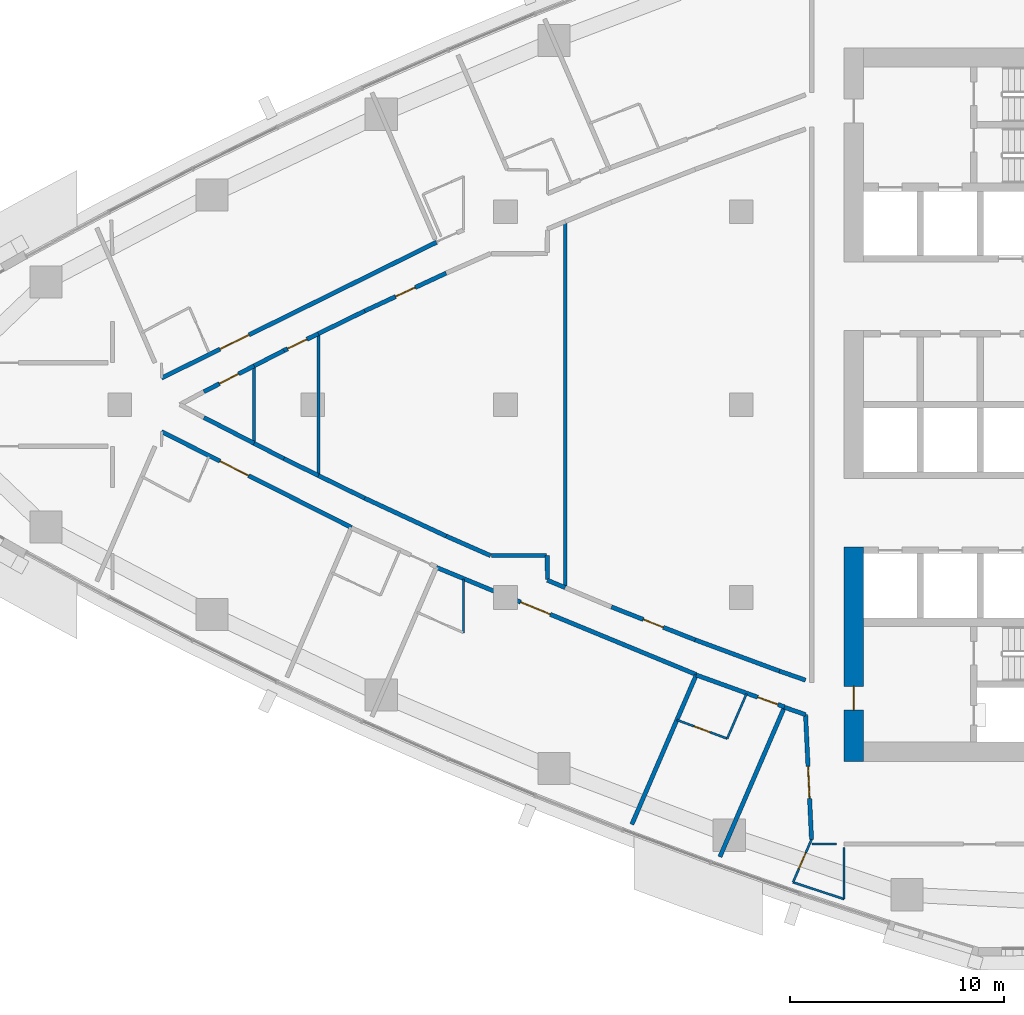
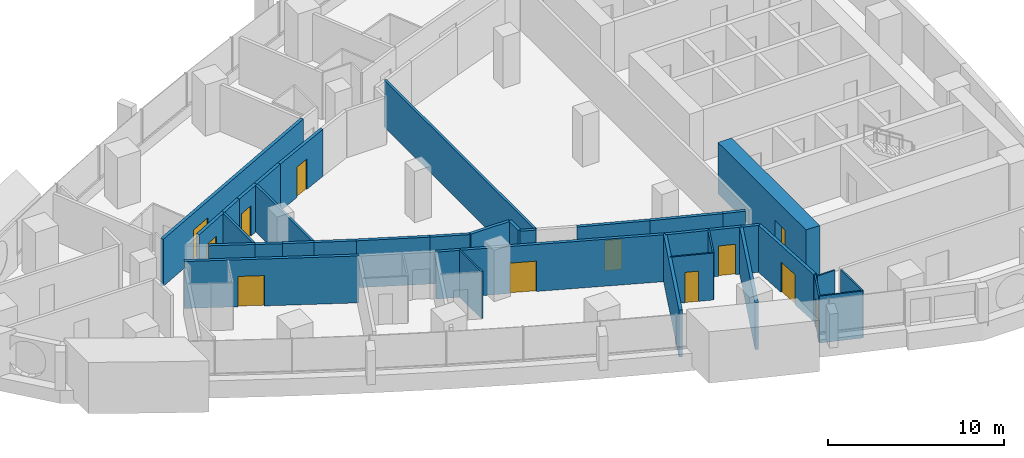
# One storey, part 9 of 17: 36 walls, 12 doors, 12 openings.
"""IFC4 building model written with IfcOpenShell, lengths in metres."""

from ifc_helpers import new_model, si_unit, direction, frame, frame_2d, origin, place, context, subcontext, project, spatial, rectangle, extrude, material, layer, layer_set, type_object, element, fill, save


model = new_model("IFC4")

# Units and contexts
model_context = context("Model", 3, precision=1e-05, world=origin(), true_north=direction((0.0, 1.0)))
body_context = subcontext(model_context, "Body", "Model", "MODEL_VIEW")
ifc_project = project(units=[si_unit("LENGTHUNIT", "METRE"), si_unit("AREAUNIT", "SQUARE_METRE"), si_unit("VOLUMEUNIT", "CUBIC_METRE"), si_unit("PLANEANGLEUNIT", "RADIAN"), si_unit("MASSUNIT", "GRAM", prefix="KILO")], contexts=[model_context])

# Site, building, storey
site_placement = place(None, origin())
site = spatial("IfcSite", under=ifc_project, at=site_placement, CompositionType="ELEMENT")
building_placement = place(site_placement, origin())
building = spatial("IfcBuilding", under=site, at=building_placement, Name="Ostrand Prow Hotel Tower", CompositionType="ELEMENT")
storey_placement = place(building_placement, frame((0.0, 0.0, 130.199951171875)))
storey = spatial("IfcBuildingStorey", under=building, at=storey_placement, Name="L31", CompositionType="ELEMENT", Elevation=130.199951171875)

# Wall, opening, door
ifc_material_1 = material(Name="Concrete C70/85", Category="concrete")
ifc_layer_1 = layer(ifc_material_1, 0.89990234375)
ifc_layer_set_1 = layer_set([ifc_layer_1], Name="Concrete C70/85")
wall_type_1 = type_object("IfcWallType", Name="Core wall 900 C70/85", PredefinedType="SHEAR", material=ifc_layer_set_1)
wall_1_placement = place(storey_placement, frame((50.25, -16.64990234375, 0.0), z_axis=(0.0, 0.0, 1.0), x_axis=(0.0, 1.0, 0.0)))
wall_1 = element("IfcWall", 1, at=wall_1_placement, inside=storey, type_object=wall_type_1, Name="Core wall CW-W-S", PredefinedType="SHEAR", context=body_context, shape_type="SweptSolid", body=[
    extrude(rectangle(XDim=10.0, YDim=0.89990234375, at=frame_2d((5.0, 0.0))), origin(), (0.0, 0.0, 1.0), 3.550048828125),
])
opening_1_placement = place(wall_1_placement, frame((2.39990234375, 0.0, 0.0)))
opening_1 = element("IfcOpeningElement", 2, at=opening_1_placement, cuts=wall_1, Name="Opening FD1", PredefinedType="OPENING", context=body_context, shape_type="SweptSolid", body=[
    extrude(rectangle(XDim=1.10009765625, YDim=2.10009765625, at=frame_2d((0.550048828125, 1.050048828125))), frame((0.0, 0.4599609375, 0.0), z_axis=(0.0, -1.0, 0.0), x_axis=(1.0, 0.0, 0.0)), (0.0, 0.0, 1.0), 0.919921875),
])
ifc_material_2 = material(Name="Steel fire door", Category="steel")
door_type_1 = type_object("IfcDoorType", Name="Fire door 1100 EI120", OperationType="SINGLE_SWING_RIGHT", PredefinedType="DOOR", material=ifc_material_2)
door_1_placement = place(opening_1_placement, origin())
door_1 = element("IfcDoor", 3, at=door_1_placement, inside=storey, type_object=door_type_1, Name="FIRE DOOR", OperationType="SINGLE_SWING_RIGHT", OverallHeight=2.10009765625, OverallWidth=1.10009765625, PredefinedType="DOOR", context=body_context, shape_type="SweptSolid", body=[
    extrude(rectangle(XDim=1.10009765625, YDim=2.10009765625, at=frame_2d((0.550048828125, 1.050048828125))), frame((0.0, 0.02490234375, 0.0), z_axis=(0.0, -1.0, 0.0), x_axis=(1.0, 0.0, 0.0)), (0.0, 0.0, 1.0), 0.050048828125),
])
fill(opening_1, door_1)

# Wall
ifc_material_3 = material(Name="Plasterboard partition")
ifc_layer_2 = layer(ifc_material_3, 0.10009765625)
ifc_layer_set_2 = layer_set([ifc_layer_2], Name="Plasterboard partition")
wall_type_2 = type_object("IfcWallType", Name="Partition 100 bathroom wall", PredefinedType="PARTITIONING", material=ifc_layer_set_2)
wall_2_placement = place(storey_placement, frame((45.246826171875, -13.48974609375, 0.0), z_axis=(0.0, 0.0, 1.0), x_axis=(-0.395960119478, -0.918267708124, 0.0)))
element("IfcWall", 4, at=wall_2_placement, inside=storey, type_object=wall_type_2, Name="BATHROOM WALL", PredefinedType="PARTITIONING", context=body_context, shape_type="SweptSolid", body=[
    extrude(rectangle(XDim=2.280029296875, YDim=0.10009765625, at=frame_2d((1.14013671875, 0.0))), origin(), (0.0, 0.0, 1.0), 3.25),
])

# Wall, opening, door
wall_3_placement = place(storey_placement, frame((44.34375, -15.58349609375, 0.0), z_axis=(0.0, 0.0, 1.0), x_axis=(-0.937752290113, 0.347304826323, 0.0)))
wall_3 = element("IfcWall", 5, at=wall_3_placement, inside=storey, type_object=wall_type_2, Name="BATHROOM WALL", PredefinedType="PARTITIONING", context=body_context, shape_type="SweptSolid", body=[
    extrude(rectangle(XDim=2.503173828125, YDim=0.10009765625, at=frame_2d((1.25146484375, 0.0))), origin(), (0.0, 0.0, 1.0), 3.25),
])
opening_2_placement = place(wall_3_placement, frame((0.85009765625, 0.0, 0.0)))
opening_2 = element("IfcOpeningElement", 6, at=opening_2_placement, cuts=wall_3, Name="Opening D2", PredefinedType="OPENING", context=body_context, shape_type="SweptSolid", body=[
    extrude(rectangle(XDim=0.800048828125, YDim=2.10009765625, at=frame_2d((0.39990234375, 1.050048828125))), frame((0.0, 0.06005859375, 0.0), z_axis=(0.0, -1.0, 0.0), x_axis=(1.0, 0.0, 0.0)), (0.0, 0.0, 1.0), 0.1201171875),
])
ifc_material_4 = material(Name="Timber door leaf", Category="wood")
door_type_2 = type_object("IfcDoorType", Name="Bathroom door 800", OperationType="SINGLE_SWING_LEFT", PredefinedType="DOOR", material=ifc_material_4)
door_2_placement = place(opening_2_placement, origin())
door_2 = element("IfcDoor", 7, at=door_2_placement, inside=storey, type_object=door_type_2, Name="DOOR", OperationType="SINGLE_SWING_LEFT", OverallHeight=2.10009765625, OverallWidth=0.800048828125, PredefinedType="DOOR", context=body_context, shape_type="SweptSolid", body=[
    extrude(rectangle(XDim=0.800048828125, YDim=2.10009765625, at=frame_2d((0.39990234375, 1.050048828125))), frame((0.0, 0.02490234375, 0.0), z_axis=(0.0, -1.0, 0.0), x_axis=(1.0, 0.0, 0.0)), (0.0, 0.0, 1.0), 0.050048828125),
])
fill(opening_2, door_2)

wall_4_placement = place(storey_placement, frame((47.416015625, -22.2890625, 0.0), z_axis=(0.0, 0.0, 1.0), x_axis=(0.396028123143, 0.918238381729, 0.0)))
wall_4 = element("IfcWall", 8, at=wall_4_placement, inside=storey, type_object=wall_type_2, Name="BATHROOM WALL", PredefinedType="PARTITIONING", context=body_context, shape_type="SweptSolid", body=[
    extrude(rectangle(XDim=2.1787109375, YDim=0.10009765625, at=frame_2d((1.08935546875, 0.0))), origin(), (0.0, 0.0, 1.0), 3.25),
])
opening_3_placement = place(wall_4_placement, frame((0.699951171875, 0.0, 0.0)))
opening_3 = element("IfcOpeningElement", 9, at=opening_3_placement, cuts=wall_4, Name="Opening D2", PredefinedType="OPENING", context=body_context, shape_type="SweptSolid", body=[
    extrude(rectangle(XDim=0.800048828125, YDim=2.10009765625, at=frame_2d((0.39990234375, 1.050048828125))), frame((0.0, 0.06005859375, 0.0), z_axis=(0.0, -1.0, 0.0), x_axis=(1.0, 0.0, 0.0)), (0.0, 0.0, 1.0), 0.1201171875),
])
door_3_placement = place(opening_3_placement, origin())
door_3 = element("IfcDoor", 10, at=door_3_placement, inside=storey, type_object=door_type_2, Name="DOOR", OperationType="SINGLE_SWING_LEFT", OverallHeight=2.10009765625, OverallWidth=0.800048828125, PredefinedType="DOOR", context=body_context, shape_type="SweptSolid", body=[
    extrude(rectangle(XDim=0.800048828125, YDim=2.10009765625, at=frame_2d((0.39990234375, 1.050048828125))), frame((0.0, 0.02490234375, 0.0), z_axis=(0.0, -1.0, 0.0), x_axis=(1.0, 0.0, 0.0)), (0.0, 0.0, 1.0), 0.050048828125),
])
fill(opening_3, door_3)

# Walls
wall_5_placement = place(storey_placement, frame((32.044921875, -8.13818359375, 0.0), z_axis=(0.0, 0.0, 1.0), x_axis=(0.0, -1.0, 0.0)))
element("IfcWall", 11, at=wall_5_placement, inside=storey, type_object=wall_type_2, Name="BATHROOM WALL", PredefinedType="PARTITIONING", context=body_context, shape_type="SweptSolid", body=[
    extrude(rectangle(XDim=2.52587890625, YDim=0.10009765625, at=frame_2d((1.262939453125, 0.0))), origin(), (0.0, 0.0, 1.0), 3.25),
])
wall_6_placement = place(storey_placement, frame((48.298583984375, -20.5048828125, 0.0), z_axis=(0.0, 0.0, 1.0), x_axis=(1.0, 0.0, 0.0)))
element("IfcWall", 12, at=wall_6_placement, inside=storey, type_object=wall_type_2, Name="BATHROOM WALL", PredefinedType="PARTITIONING", context=body_context, shape_type="SweptSolid", body=[
    extrude(rectangle(XDim=1.13525390625, YDim=0.10009765625, at=frame_2d((0.567626953125, 0.0))), origin(), (0.0, 0.0, 1.0), 3.25),
])
wall_7_placement = place(storey_placement, frame((49.800048828125, -20.65576171875, 0.0), z_axis=(0.0, 0.0, 1.0), x_axis=(0.0, -1.0, 0.0)))
element("IfcWall", 13, at=wall_7_placement, inside=storey, type_object=wall_type_2, Name="BATHROOM WALL", PredefinedType="PARTITIONING", context=body_context, shape_type="SweptSolid", body=[
    extrude(rectangle(XDim=2.41845703125, YDim=0.10009765625, at=frame_2d((1.209228515625, 0.0))), origin(), (0.0, 0.0, 1.0), 3.25),
])
wall_8_placement = place(storey_placement, frame((49.800048828125, -23.07421875, 0.0), z_axis=(0.0, 0.0, 1.0), x_axis=(-0.949844078437, 0.312723882455, 0.0)))
element("IfcWall", 14, at=wall_8_placement, inside=storey, type_object=wall_type_2, Name="BATHROOM WALL", PredefinedType="PARTITIONING", context=body_context, shape_type="SweptSolid", body=[
    extrude(rectangle(XDim=2.510009765625, YDim=0.10009765625, at=frame_2d((1.2548828125, 0.0))), origin(), (0.0, 0.0, 1.0), 3.25),
])
ifc_material_5 = material(Name="Plasterboard partition")
ifc_layer_3 = layer(ifc_material_5, 0.14990234375)
ifc_layer_set_3 = layer_set([ifc_layer_3], Name="Plasterboard partition")
wall_type_3 = type_object("IfcWallType", Name="Partition 150 room partition", PredefinedType="PARTITIONING", material=ifc_layer_set_3)
wall_9_placement = place(storey_placement, frame((22.268798828125, -1.806640625, 0.0), z_axis=(0.0, 0.0, 1.0), x_axis=(0.0, 1.0, 0.0)))
element("IfcWall", 15, at=wall_9_placement, inside=storey, type_object=wall_type_3, Name="ROOM PARTITION", PredefinedType="PARTITIONING", context=body_context, shape_type="SweptSolid", body=[
    extrude(rectangle(XDim=3.61328125, YDim=0.14990234375, at=frame_2d((1.806640625, 0.0))), origin(), (0.0, 0.0, 1.0), 3.25),
])
wall_10_placement = place(storey_placement, frame((25.268798828125, -3.310302734375, 0.0), z_axis=(0.0, 0.0, 1.0), x_axis=(0.0, 1.0, 0.0)))
element("IfcWall", 16, at=wall_10_placement, inside=storey, type_object=wall_type_3, Name="ROOM PARTITION", PredefinedType="PARTITIONING", context=body_context, shape_type="SweptSolid", body=[
    extrude(rectangle(XDim=6.62060546875, YDim=0.14990234375, at=frame_2d((3.310302734375, 0.0))), origin(), (0.0, 0.0, 1.0), 3.25),
])
wall_11_placement = place(storey_placement, frame((36.784423828125, -8.541015625, 0.0), z_axis=(0.0, 0.0, 1.0), x_axis=(0.0, 1.0, 0.0)))
element("IfcWall", 17, at=wall_11_placement, inside=storey, type_object=wall_type_3, Name="ROOM PARTITION", PredefinedType="PARTITIONING", context=body_context, shape_type="SweptSolid", body=[
    extrude(rectangle(XDim=17.08203125, YDim=0.14990234375, at=frame_2d((8.541015625, 0.0))), origin(), (0.0, 0.0, 1.0), 3.25),
])

# Wall, opening, door
ifc_material_6 = material(Name="Plasterboard partition")
ifc_layer_4 = layer(ifc_material_6, 0.199951171875)
ifc_layer_set_4 = layer_set([ifc_layer_4], Name="Plasterboard partition")
wall_type_4 = type_object("IfcWallType", Name="Partition 200 corridor wall", PredefinedType="PARTITIONING", material=ifc_layer_set_4)
wall_12_placement = place(storey_placement, frame((17.949951171875, 1.238037109375, 0.0), z_axis=(0.0, 0.0, 1.0), x_axis=(0.896593504408, 0.44285447706, 0.0)))
wall_12 = element("IfcWall", 18, at=wall_12_placement, inside=storey, type_object=wall_type_4, Name="CORRIDOR WALL", PredefinedType="PARTITIONING", context=body_context, shape_type="SweptSolid", body=[
    extrude(rectangle(XDim=14.310302734375, YDim=0.199951171875, at=frame_2d((7.1552734375, 0.0))), origin(), (0.0, 0.0, 1.0), 3.25),
])
opening_4_placement = place(wall_12_placement, frame((3.050048828125, 0.0, 0.0)))
opening_4 = element("IfcOpeningElement", 19, at=opening_4_placement, cuts=wall_12, Name="Opening D15", PredefinedType="OPENING", context=body_context, shape_type="SweptSolid", body=[
    extrude(rectangle(XDim=1.5, YDim=2.10009765625, at=frame_2d((0.75, 1.050048828125))), frame((0.0, 0.10986328125, 0.0), z_axis=(0.0, -1.0, 0.0), x_axis=(1.0, 0.0, 0.0)), (0.0, 0.0, 1.0), 0.219970703125),
])
ifc_material_7 = material(Name="Timber door leaf", Category="wood")
door_type_3 = type_object("IfcDoorType", Name="Double door 1500", OperationType="DOUBLE_DOOR_SINGLE_SWING", PredefinedType="DOOR", material=ifc_material_7)
door_4_placement = place(opening_4_placement, origin())
door_4 = element("IfcDoor", 20, at=door_4_placement, inside=storey, type_object=door_type_3, Name="DOOR", OperationType="DOUBLE_DOOR_SINGLE_SWING", OverallHeight=2.10009765625, OverallWidth=1.5, PredefinedType="DOOR", context=body_context, shape_type="SweptSolid", body=[
    extrude(rectangle(XDim=1.5, YDim=2.10009765625, at=frame_2d((0.75, 1.050048828125))), frame((0.0, 0.02490234375, 0.0), z_axis=(0.0, -1.0, 0.0), x_axis=(1.0, 0.0, 0.0)), (0.0, 0.0, 1.0), 0.050048828125),
])
fill(opening_4, door_4)

wall_13_placement = place(storey_placement, frame((17.949951171875, -1.2607421875, 0.0), z_axis=(0.0, 0.0, 1.0), x_axis=(0.892679126003, -0.450692775623, 0.0)))
wall_13 = element("IfcWall", 21, at=wall_13_placement, inside=storey, type_object=wall_type_4, Name="CORRIDOR WALL", PredefinedType="PARTITIONING", context=body_context, shape_type="SweptSolid", body=[
    extrude(rectangle(XDim=9.9267578125, YDim=0.199951171875, at=frame_2d((4.96337890625, 0.0))), origin(), (0.0, 0.0, 1.0), 3.25),
])
opening_5_placement = place(wall_13_placement, frame((3.050048828125, 0.0, 0.0)))
opening_5 = element("IfcOpeningElement", 22, at=opening_5_placement, cuts=wall_13, Name="Opening D15", PredefinedType="OPENING", context=body_context, shape_type="SweptSolid", body=[
    extrude(rectangle(XDim=1.5, YDim=2.10009765625, at=frame_2d((0.75, 1.050048828125))), frame((0.0, 0.10986328125, 0.0), z_axis=(0.0, -1.0, 0.0), x_axis=(1.0, 0.0, 0.0)), (0.0, 0.0, 1.0), 0.219970703125),
])
door_5_placement = place(opening_5_placement, origin())
door_5 = element("IfcDoor", 23, at=door_5_placement, inside=storey, type_object=door_type_3, Name="DOOR", OperationType="DOUBLE_DOOR_SINGLE_SWING", OverallHeight=2.10009765625, OverallWidth=1.5, PredefinedType="DOOR", context=body_context, shape_type="SweptSolid", body=[
    extrude(rectangle(XDim=1.5, YDim=2.10009765625, at=frame_2d((0.75, 1.050048828125))), frame((0.0, 0.02490234375, 0.0), z_axis=(0.0, -1.0, 0.0), x_axis=(1.0, 0.0, 0.0)), (0.0, 0.0, 1.0), 0.050048828125),
])
fill(opening_5, door_5)

wall_14_placement = place(storey_placement, frame((30.7724609375, -7.593994140625, 0.0), z_axis=(0.0, 0.0, 1.0), x_axis=(0.924461873383, -0.381274500407, 0.0)))
wall_14 = element("IfcWall", 24, at=wall_14_placement, inside=storey, type_object=wall_type_4, Name="CORRIDOR WALL", PredefinedType="PARTITIONING", context=body_context, shape_type="SweptSolid", body=[
    extrude(rectangle(XDim=13.12744140625, YDim=0.199951171875, at=frame_2d((6.563720703125, 0.0))), origin(), (0.0, 0.0, 1.0), 3.25),
])
opening_6_placement = place(wall_14_placement, frame((4.25, 0.0, 0.0)))
opening_6 = element("IfcOpeningElement", 25, at=opening_6_placement, cuts=wall_14, Name="Opening D15", PredefinedType="OPENING", context=body_context, shape_type="SweptSolid", body=[
    extrude(rectangle(XDim=1.5, YDim=2.10009765625, at=frame_2d((0.75, 1.050048828125))), frame((0.0, 0.10986328125, 0.0), z_axis=(0.0, -1.0, 0.0), x_axis=(1.0, 0.0, 0.0)), (0.0, 0.0, 1.0), 0.219970703125),
])
door_6_placement = place(opening_6_placement, origin())
door_6 = element("IfcDoor", 26, at=door_6_placement, inside=storey, type_object=door_type_3, Name="DOOR", OperationType="DOUBLE_DOOR_SINGLE_SWING", OverallHeight=2.10009765625, OverallWidth=1.5, PredefinedType="DOOR", context=body_context, shape_type="SweptSolid", body=[
    extrude(rectangle(XDim=1.5, YDim=2.10009765625, at=frame_2d((0.75, 1.050048828125))), frame((0.0, 0.02490234375, 0.0), z_axis=(0.0, -1.0, 0.0), x_axis=(1.0, 0.0, 0.0)), (0.0, 0.0, 1.0), 0.050048828125),
])
fill(opening_6, door_6)

wall_15_placement = place(storey_placement, frame((42.900390625, -12.617431640625, 0.0), z_axis=(0.0, 0.0, 1.0), x_axis=(0.940555877924, -0.339638985546, 0.0)))
wall_15 = element("IfcWall", 27, at=wall_15_placement, inside=storey, type_object=wall_type_4, Name="CORRIDOR WALL", PredefinedType="PARTITIONING", context=body_context, shape_type="SweptSolid", body=[
    extrude(rectangle(XDim=4.380615234375, YDim=0.199951171875, at=frame_2d((2.1904296875, 0.0))), origin(), (0.0, 0.0, 1.0), 3.25),
])
opening_7_placement = place(wall_15_placement, frame((3.050048828125, 0.0, 0.0)))
opening_7 = element("IfcOpeningElement", 28, at=opening_7_placement, cuts=wall_15, Name="Opening D1R", PredefinedType="OPENING", context=body_context, shape_type="SweptSolid", body=[
    extrude(rectangle(XDim=1.0, YDim=2.10009765625, at=frame_2d((0.5, 1.050048828125))), frame((0.0, 0.10986328125, 0.0), z_axis=(0.0, -1.0, 0.0), x_axis=(1.0, 0.0, 0.0)), (0.0, 0.0, 1.0), 0.219970703125),
])
ifc_material_8 = material(Name="Timber door leaf", Category="wood")
door_type_4 = type_object("IfcDoorType", Name="Guest room door 1000 right", OperationType="SINGLE_SWING_RIGHT", PredefinedType="DOOR", material=ifc_material_8)
door_7_placement = place(opening_7_placement, origin())
door_7 = element("IfcDoor", 29, at=door_7_placement, inside=storey, type_object=door_type_4, Name="DOOR", OperationType="SINGLE_SWING_RIGHT", OverallHeight=2.10009765625, OverallWidth=1.0, PredefinedType="DOOR", context=body_context, shape_type="SweptSolid", body=[
    extrude(rectangle(XDim=1.0, YDim=2.10009765625, at=frame_2d((0.5, 1.050048828125))), frame((0.0, 0.02490234375, 0.0), z_axis=(0.0, -1.0, 0.0), x_axis=(1.0, 0.0, 0.0)), (0.0, 0.0, 1.0), 0.050048828125),
])
fill(opening_7, door_7)

wall_16_placement = place(storey_placement, frame((19.928466796875, 0.60205078125, 0.0), z_axis=(0.0, 0.0, 1.0), x_axis=(0.889134700325, 0.457645588505, 0.0)))
wall_16 = element("IfcWall", 30, at=wall_16_placement, inside=storey, type_object=wall_type_4, Name="CORRIDOR WALL", PredefinedType="PARTITIONING", context=body_context, shape_type="SweptSolid", body=[
    extrude(rectangle(XDim=2.632080078125, YDim=0.199951171875, at=frame_2d((1.31591796875, 0.0))), origin(), (0.0, 0.0, 1.0), 3.25),
])
opening_8_placement = place(wall_16_placement, frame((0.816162109375, 0.0, 0.0)))
opening_8 = element("IfcOpeningElement", 31, at=opening_8_placement, cuts=wall_16, Name="Opening D1R", PredefinedType="OPENING", context=body_context, shape_type="SweptSolid", body=[
    extrude(rectangle(XDim=1.0, YDim=2.10009765625, at=frame_2d((0.5, 1.050048828125))), frame((0.0, 0.10986328125, 0.0), z_axis=(0.0, -1.0, 0.0), x_axis=(1.0, 0.0, 0.0)), (0.0, 0.0, 1.0), 0.219970703125),
])
door_8_placement = place(opening_8_placement, origin())
door_8 = element("IfcDoor", 32, at=door_8_placement, inside=storey, type_object=door_type_4, Name="DOOR", OperationType="SINGLE_SWING_RIGHT", OverallHeight=2.10009765625, OverallWidth=1.0, PredefinedType="DOOR", context=body_context, shape_type="SweptSolid", body=[
    extrude(rectangle(XDim=1.0, YDim=2.10009765625, at=frame_2d((0.5, 1.050048828125))), frame((0.0, 0.02490234375, 0.0), z_axis=(0.0, -1.0, 0.0), x_axis=(1.0, 0.0, 0.0)), (0.0, 0.0, 1.0), 0.050048828125),
])
fill(opening_8, door_8)

# Wall
wall_17_placement = place(storey_placement, frame((22.268798828125, -1.806640625, 0.0), z_axis=(0.0, 0.0, 1.0), x_axis=(-0.889134700325, 0.457645588505, 0.0)))
element("IfcWall", 33, at=wall_17_placement, inside=storey, type_object=wall_type_4, Name="CORRIDOR WALL", PredefinedType="PARTITIONING", context=body_context, shape_type="SweptSolid", body=[
    extrude(rectangle(XDim=2.632080078125, YDim=0.199951171875, at=frame_2d((1.31591796875, 0.0))), origin(), (0.0, 0.0, 1.0), 3.25),
])

# Wall, opening, door
wall_18_placement = place(storey_placement, frame((23.65869140625, 2.52197265625, 0.0), z_axis=(0.0, 0.0, 1.0), x_axis=(0.898127473276, 0.439735195028, 0.0)))
wall_18 = element("IfcWall", 34, at=wall_18_placement, inside=storey, type_object=wall_type_4, Name="CORRIDOR WALL", PredefinedType="PARTITIONING", context=body_context, shape_type="SweptSolid", body=[
    extrude(rectangle(XDim=1.792724609375, YDim=0.199951171875, at=frame_2d((0.896484375, 0.0))), origin(), (0.0, 0.0, 1.0), 3.25),
])
opening_9_placement = place(wall_18_placement, frame((0.1962890625, 0.0, 0.0)))
opening_9 = element("IfcOpeningElement", 35, at=opening_9_placement, cuts=wall_18, Name="Opening D1", PredefinedType="OPENING", context=body_context, shape_type="SweptSolid", body=[
    extrude(rectangle(XDim=1.0, YDim=2.10009765625, at=frame_2d((0.5, 1.050048828125))), frame((0.0, 0.10986328125, 0.0), z_axis=(0.0, -1.0, 0.0), x_axis=(1.0, 0.0, 0.0)), (0.0, 0.0, 1.0), 0.219970703125),
])
ifc_material_9 = material(Name="Timber door leaf", Category="wood")
door_type_5 = type_object("IfcDoorType", Name="Guest room door 1000", OperationType="SINGLE_SWING_LEFT", PredefinedType="DOOR", material=ifc_material_9)
door_9_placement = place(opening_9_placement, origin())
door_9 = element("IfcDoor", 36, at=door_9_placement, inside=storey, type_object=door_type_5, Name="DOOR", OperationType="SINGLE_SWING_LEFT", OverallHeight=2.10009765625, OverallWidth=1.0, PredefinedType="DOOR", context=body_context, shape_type="SweptSolid", body=[
    extrude(rectangle(XDim=1.0, YDim=2.10009765625, at=frame_2d((0.5, 1.050048828125))), frame((0.0, 0.02490234375, 0.0), z_axis=(0.0, -1.0, 0.0), x_axis=(1.0, 0.0, 0.0)), (0.0, 0.0, 1.0), 0.050048828125),
])
fill(opening_9, door_9)

# Walls
for number, where, z_axis, x_axis, name in (
    (37, (23.65869140625, -2.52197265625, 0.0), (0.0, 0.0, 1.0), (-0.88914982879, 0.457616195039, 0.0), "CORRIDOR WALL"),
    (38, (22.268798828125, 1.806640625, 0.0), (0.0, 0.0, 1.0), (0.88914982879, 0.457616195039, 0.0), "CORRIDOR WALL"),
):
    element("IfcWall", number, at=place(storey_placement, frame(where, z_axis=z_axis, x_axis=x_axis)), inside=storey, type_object=wall_type_4, Name=name, PredefinedType="PARTITIONING", context=body_context, shape_type="SweptSolid", body=[
        extrude(rectangle(XDim=1.563232421875, YDim=0.199951171875, at=frame_2d((0.78173828125, 0.0))), origin(), (0.0, 0.0, 1.0), 3.25),
    ])
wall_19_placement = place(storey_placement, frame((25.268798828125, -3.310302734375, 0.0), z_axis=(0.0, 0.0, 1.0), x_axis=(-0.898127473276, 0.439735195028, 0.0)))
element("IfcWall", 39, at=wall_19_placement, inside=storey, type_object=wall_type_4, Name="CORRIDOR WALL", PredefinedType="PARTITIONING", context=body_context, shape_type="SweptSolid", body=[
    extrude(rectangle(XDim=1.792724609375, YDim=0.199951171875, at=frame_2d((0.896484375, 0.0))), origin(), (0.0, 0.0, 1.0), 3.25),
])

# Wall, opening, door
wall_20_placement = place(storey_placement, frame((27.4267578125, 4.36669921875, 0.0), z_axis=(0.0, 0.0, 1.0), x_axis=(0.906830275285, 0.421495968933, 0.0)))
wall_20 = element("IfcWall", 40, at=wall_20_placement, inside=storey, type_object=wall_type_4, Name="CORRIDOR WALL", PredefinedType="PARTITIONING", context=body_context, shape_type="SweptSolid", body=[
    extrude(rectangle(XDim=4.1953125, YDim=0.199951171875, at=frame_2d((2.09765625, 0.0))), origin(), (0.0, 0.0, 1.0), 3.25),
])
opening_10_placement = place(wall_20_placement, frame((1.59765625, 0.0, 0.0)))
opening_10 = element("IfcOpeningElement", 41, at=opening_10_placement, cuts=wall_20, Name="Opening D1R", PredefinedType="OPENING", context=body_context, shape_type="SweptSolid", body=[
    extrude(rectangle(XDim=1.0, YDim=2.10009765625, at=frame_2d((0.5, 1.050048828125))), frame((0.0, 0.10986328125, 0.0), z_axis=(0.0, -1.0, 0.0), x_axis=(1.0, 0.0, 0.0)), (0.0, 0.0, 1.0), 0.219970703125),
])
door_10_placement = place(opening_10_placement, origin())
door_10 = element("IfcDoor", 42, at=door_10_placement, inside=storey, type_object=door_type_4, Name="DOOR", OperationType="SINGLE_SWING_RIGHT", OverallHeight=2.10009765625, OverallWidth=1.0, PredefinedType="DOOR", context=body_context, shape_type="SweptSolid", body=[
    extrude(rectangle(XDim=1.0, YDim=2.10009765625, at=frame_2d((0.5, 1.050048828125))), frame((0.0, 0.02490234375, 0.0), z_axis=(0.0, -1.0, 0.0), x_axis=(1.0, 0.0, 0.0)), (0.0, 0.0, 1.0), 0.050048828125),
])
fill(opening_10, door_10)

# Walls
wall_21_placement = place(storey_placement, frame((36.784423828125, -8.541015625, 0.0), z_axis=(0.0, 0.0, 1.0), x_axis=(-0.922997009646, 0.384807120756, 0.0)))
element("IfcWall", 43, at=wall_21_placement, inside=storey, type_object=wall_type_4, Name="CORRIDOR WALL", PredefinedType="PARTITIONING", context=body_context, shape_type="SweptSolid", body=[
    extrude(rectangle(XDim=0.904052734375, YDim=0.199951171875, at=frame_2d((0.4521484375, 0.0))), origin(), (0.0, 0.0, 1.0), 3.25),
])
wall_22_placement = place(storey_placement, frame((33.307861328125, -7.050048828125, 0.0), z_axis=(0.0, 0.0, 1.0), x_axis=(-0.915102334452, 0.403221672881, 0.0)))
element("IfcWall", 44, at=wall_22_placement, inside=storey, type_object=wall_type_4, Name="CORRIDOR WALL", PredefinedType="PARTITIONING", context=body_context, shape_type="SweptSolid", body=[
    extrude(rectangle(XDim=2.269287109375, YDim=0.199951171875, at=frame_2d((1.134765625, 0.0))), origin(), (0.0, 0.0, 1.0), 3.25),
])
wall_23_placement = place(storey_placement, frame((31.231201171875, -6.135009765625, 0.0), z_axis=(0.0, 0.0, 1.0), x_axis=(-0.906830275285, 0.421495968933, 0.0)))
element("IfcWall", 45, at=wall_23_placement, inside=storey, type_object=wall_type_4, Name="CORRIDOR WALL", PredefinedType="PARTITIONING", context=body_context, shape_type="SweptSolid", body=[
    extrude(rectangle(XDim=4.1953125, YDim=0.199951171875, at=frame_2d((2.09765625, 0.0))), origin(), (0.0, 0.0, 1.0), 3.25),
])
for number, where, z_axis, x_axis, name in (
    (46, (27.4267578125, -4.36669921875, 0.0), (0.0, 0.0, 1.0), (-0.898155255728, 0.439678446831, 0.0), "CORRIDOR WALL"),
    (47, (25.268798828125, 3.310302734375, 0.0), (0.0, 0.0, 1.0), (0.898155255728, 0.439678446831, 0.0), "CORRIDOR WALL"),
):
    element("IfcWall", number, at=place(storey_placement, frame(where, z_axis=z_axis, x_axis=x_axis)), inside=storey, type_object=wall_type_4, Name=name, PredefinedType="PARTITIONING", context=body_context, shape_type="SweptSolid", body=[
        extrude(rectangle(XDim=2.402587890625, YDim=0.199951171875, at=frame_2d((1.201171875, 0.0))), origin(), (0.0, 0.0, 1.0), 3.25),
    ])

# Wall, opening, door
wall_24_placement = place(storey_placement, frame((42.84716796875, -10.976806640625, 0.0), z_axis=(0.0, 0.0, 1.0), x_axis=(-0.930576677263, 0.36609704688, 0.0)))
wall_24 = element("IfcWall", 48, at=wall_24_placement, inside=storey, type_object=wall_type_4, Name="CORRIDOR WALL", PredefinedType="PARTITIONING", context=body_context, shape_type="SweptSolid", body=[
    extrude(rectangle(XDim=4.1953125, YDim=0.199951171875, at=frame_2d((2.09765625, 0.0))), origin(), (0.0, 0.0, 1.0), 3.25),
])
opening_11_placement = place(wall_24_placement, frame((1.59765625, 0.0, 0.0)))
opening_11 = element("IfcOpeningElement", 49, at=opening_11_placement, cuts=wall_24, Name="Opening D1", PredefinedType="OPENING", context=body_context, shape_type="SweptSolid", body=[
    extrude(rectangle(XDim=1.0, YDim=2.10009765625, at=frame_2d((0.5, 1.050048828125))), frame((0.0, 0.10986328125, 0.0), z_axis=(0.0, -1.0, 0.0), x_axis=(1.0, 0.0, 0.0)), (0.0, 0.0, 1.0), 0.219970703125),
])
door_11_placement = place(opening_11_placement, origin())
door_11 = element("IfcDoor", 50, at=door_11_placement, inside=storey, type_object=door_type_5, Name="DOOR", OperationType="SINGLE_SWING_LEFT", OverallHeight=2.10009765625, OverallWidth=1.0, PredefinedType="DOOR", context=body_context, shape_type="SweptSolid", body=[
    extrude(rectangle(XDim=1.0, YDim=2.10009765625, at=frame_2d((0.5, 1.050048828125))), frame((0.0, 0.02490234375, 0.0), z_axis=(0.0, -1.0, 0.0), x_axis=(1.0, 0.0, 0.0)), (0.0, 0.0, 1.0), 0.050048828125),
])
fill(opening_11, door_11)

# Walls
wall_25_placement = place(storey_placement, frame((46.78125, -12.43408203125, 0.0), z_axis=(0.0, 0.0, 1.0), x_axis=(-0.937732614305, 0.347357948044, 0.0)))
element("IfcWall", 51, at=wall_25_placement, inside=storey, type_object=wall_type_4, Name="CORRIDOR WALL", PredefinedType="PARTITIONING", context=body_context, shape_type="SweptSolid", body=[
    extrude(rectangle(XDim=4.1953125, YDim=0.199951171875, at=frame_2d((2.09765625, 0.0))), origin(), (0.0, 0.0, 1.0), 3.25),
])
wall_26_placement = place(storey_placement, frame((47.012451171875, -14.123779296875, 0.0), z_axis=(0.0, 0.0, 1.0), x_axis=(0.944566081842, -0.32832136244, 0.0)))
element("IfcWall", 52, at=wall_26_placement, inside=storey, type_object=wall_type_4, Name="CORRIDOR WALL", PredefinedType="PARTITIONING", context=body_context, shape_type="SweptSolid", body=[
    extrude(rectangle(XDim=1.04541015625, YDim=0.199951171875, at=frame_2d((0.522705078125, 0.0))), origin(), (0.0, 0.0, 1.0), 3.25),
])
wall_27_placement = place(storey_placement, frame((48.0, -12.85791015625, 0.0), z_axis=(0.0, 0.0, 1.0), x_axis=(-0.944517215109, 0.328461916152, 0.0)))
element("IfcWall", 53, at=wall_27_placement, inside=storey, type_object=wall_type_4, Name="CORRIDOR WALL", PredefinedType="PARTITIONING", context=body_context, shape_type="SweptSolid", body=[
    extrude(rectangle(XDim=1.290283203125, YDim=0.199951171875, at=frame_2d((0.64501953125, 0.0))), origin(), (0.0, 0.0, 1.0), 3.25),
])

# Wall, opening, door
wall_28_placement = place(storey_placement, frame((48.0, -14.467041015625, 0.0), z_axis=(0.0, 0.0, 1.0), x_axis=(0.047837808481, -0.998855116661, 0.0)))
wall_28 = element("IfcWall", 54, at=wall_28_placement, inside=storey, type_object=wall_type_4, Name="CORRIDOR WALL", PredefinedType="PARTITIONING", context=body_context, shape_type="SweptSolid", body=[
    extrude(rectangle(XDim=5.828125, YDim=0.199951171875, at=frame_2d((2.9140625, 0.0))), origin(), (0.0, 0.0, 1.0), 3.25),
])
opening_12_placement = place(wall_28_placement, frame((2.4140625, 0.0, 0.0)))
opening_12 = element("IfcOpeningElement", 55, at=opening_12_placement, cuts=wall_28, Name="Opening D15", PredefinedType="OPENING", context=body_context, shape_type="SweptSolid", body=[
    extrude(rectangle(XDim=1.5, YDim=2.10009765625, at=frame_2d((0.75, 1.050048828125))), frame((0.0, 0.10986328125, 0.0), z_axis=(0.0, -1.0, 0.0), x_axis=(1.0, 0.0, 0.0)), (0.0, 0.0, 1.0), 0.219970703125),
])
door_12_placement = place(opening_12_placement, origin())
door_12 = element("IfcDoor", 56, at=door_12_placement, inside=storey, type_object=door_type_3, Name="DOOR", OperationType="DOUBLE_DOOR_SINGLE_SWING", OverallHeight=2.10009765625, OverallWidth=1.5, PredefinedType="DOOR", context=body_context, shape_type="SweptSolid", body=[
    extrude(rectangle(XDim=1.5, YDim=2.10009765625, at=frame_2d((0.75, 1.050048828125))), frame((0.0, 0.02490234375, 0.0), z_axis=(0.0, -1.0, 0.0), x_axis=(1.0, 0.0, 0.0)), (0.0, 0.0, 1.0), 0.050048828125),
])
fill(opening_12, door_12)

# Walls
wall_29_placement = place(storey_placement, frame((35.954833984375, -8.153564453125, 0.0), z_axis=(0.0, 0.0, 1.0), x_axis=(-0.002643744892, 0.9999965053, 0.0)))
element("IfcWall", 57, at=wall_29_placement, inside=storey, type_object=wall_type_4, Name="CORRIDOR WALL", PredefinedType="PARTITIONING", context=body_context, shape_type="SweptSolid", body=[
    extrude(rectangle(XDim=1.108154296875, YDim=0.199951171875, at=frame_2d((0.55419921875, 0.0))), origin(), (0.0, 0.0, 1.0), 3.25),
])
wall_30_placement = place(storey_placement, frame((35.911865234375, -7.04541015625, 0.0), z_axis=(0.0, 0.0, 1.0), x_axis=(-0.999999981873, 0.000190403652, 0.0)))
element("IfcWall", 58, at=wall_30_placement, inside=storey, type_object=wall_type_4, Name="CORRIDOR WALL", PredefinedType="PARTITIONING", context=body_context, shape_type="SweptSolid", body=[
    extrude(rectangle(XDim=2.564453125, YDim=0.199951171875, at=frame_2d((1.2822265625, 0.0))), origin(), (0.0, 0.0, 1.0), 3.25),
])
ifc_material_10 = material(Name="Plasterboard partition")
ifc_layer_5 = layer(ifc_material_10, 0.199951171875)
ifc_layer_set_5 = layer_set([ifc_layer_5], Name="Plasterboard partition")
wall_type_5 = type_object("IfcWallType", Name="Partition 200 key partition", PredefinedType="PARTITIONING", material=ifc_layer_set_5)
wall_31_placement = place(storey_placement, frame((39.89453125, -19.58740234375, 0.0), z_axis=(0.0, 0.0, 1.0), x_axis=(0.395993528256, 0.918253301426, 0.0)))
element("IfcWall", 59, at=wall_31_placement, inside=storey, type_object=wall_type_5, Name="KEY PARTITION", PredefinedType="PARTITIONING", context=body_context, shape_type="SweptSolid", body=[
    extrude(rectangle(XDim=7.6103515625, YDim=0.199951171875, at=frame_2d((3.80517578125, 0.0))), origin(), (0.0, 0.0, 1.0), 3.25),
])
wall_32_placement = place(storey_placement, frame((44.0029296875, -21.102294921875, 0.0), z_axis=(0.0, 0.0, 1.0), x_axis=(0.39600636385, 0.918247766014, 0.0)))
element("IfcWall", 60, at=wall_32_placement, inside=storey, type_object=wall_type_5, Name="KEY PARTITION", PredefinedType="PARTITIONING", context=body_context, shape_type="SweptSolid", body=[
    extrude(rectangle(XDim=7.6201171875, YDim=0.199951171875, at=frame_2d((3.81005859375, 0.0))), origin(), (0.0, 0.0, 1.0), 3.25),
])

save(model, "model.ifc")
